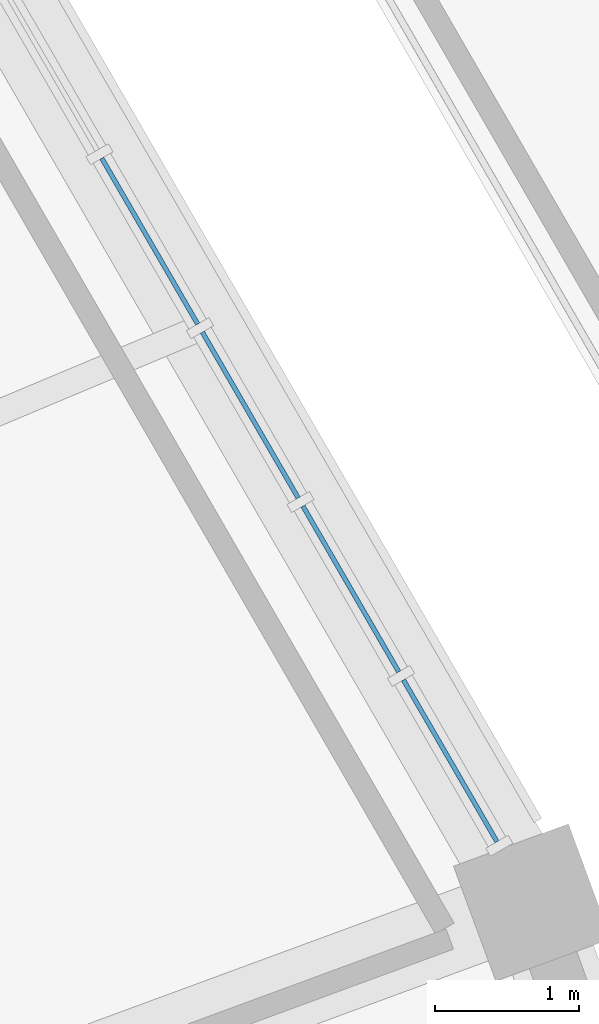
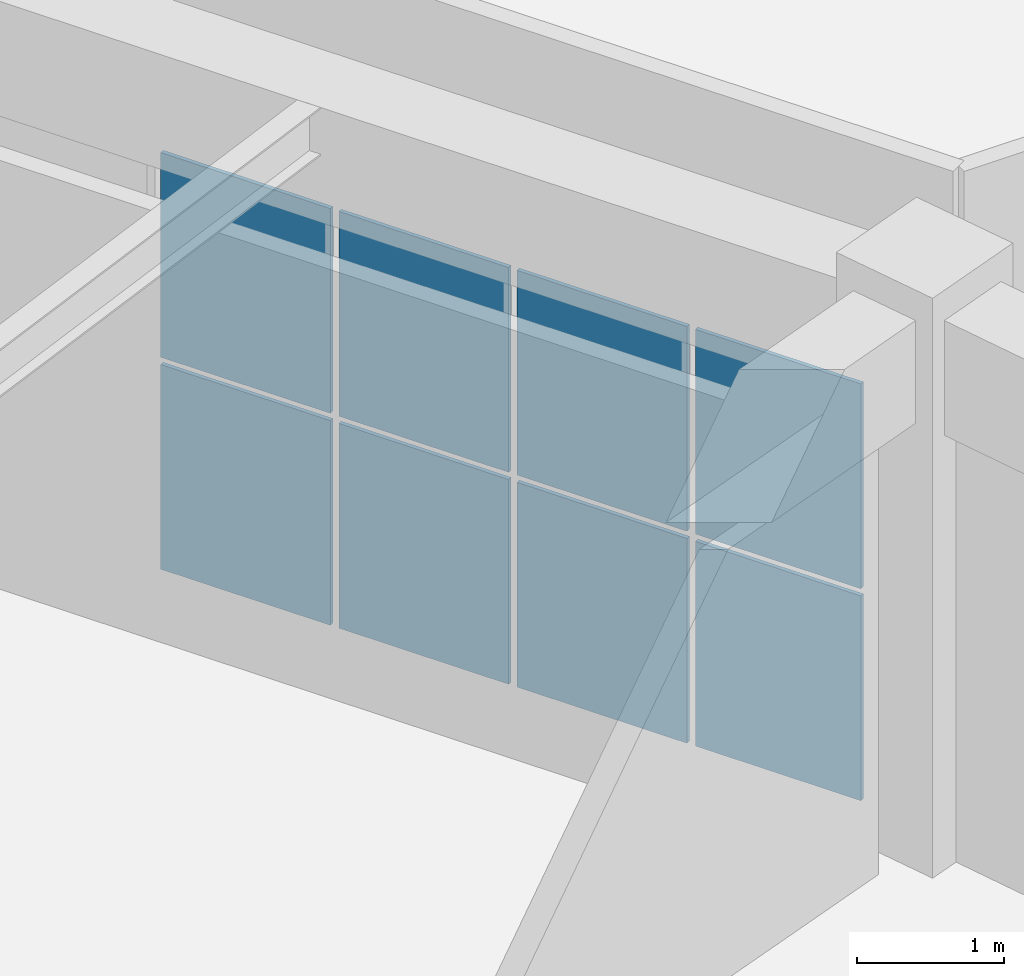
# One storey, part 87 of 152: 8 plates, 1 element without a shape of its own.
"""IFC4 building model written with IfcOpenShell, lengths in metres."""

import ifcopenshell
import ifcopenshell.guid

model = None  # the IFC model being written
_history = None  # IfcOwnerHistory: only IFC2X3 demands one
_inside = {}  # id of a spatial element -> (the spatial element, [elements in it])
_under = {}  # id of a project, library or spatial element -> (it, [spatial elements below it])
_declared = {}  # id of a project -> (the project, [libraries it declares])
_typed = {}  # id of a type object -> (the type object, [elements of that type])
_made_of = {}  # id of a material, layer set ... -> (it, [elements and type objects made of it])


def new_model(schema):
    """Start an empty IFC model of exactly this schema.

    Asked for "IFC4X3", IfcOpenShell would pick the latest addendum, in which some entities
    have other attributes; the version numbers below select the first issue.
    IFC2X3 requires an IfcOwnerHistory on every rooted entity: one is made here for all.
    """
    global model, _history
    if schema == "IFC4X3":
        model = ifcopenshell.file(schema_version=(4, 3, 0, 0))
    else:
        model = ifcopenshell.file(schema=schema)
    _inside.clear()
    _under.clear()
    _declared.clear()
    _typed.clear()
    _made_of.clear()
    _history = None
    if model.schema == "IFC2X3":
        org = make("IfcOrganization", Name="unknown")
        user = make(
            "IfcPersonAndOrganization",
            ThePerson=make("IfcPerson", FamilyName="unknown"),
            TheOrganization=org,
        )
        app = make(
            "IfcApplication",
            ApplicationDeveloper=org,
            Version="unknown",
            ApplicationFullName="unknown",
            ApplicationIdentifier="unknown",
        )
        _history = make(
            "IfcOwnerHistory",
            OwningUser=user,
            OwningApplication=app,
            ChangeAction="ADDED",
            CreationDate=0,
        )
    return model


def make(cls, **values):
    """One entity of the class cls with the attributes given. An attribute that is None is left unset."""
    return model.create_entity(
        cls, **{name: value for name, value in values.items() if value is not None}
    )


def rooted(cls, **values):
    """An entity with a GlobalId (a new one), such as an element, a storey or a relation."""
    return make(cls, GlobalId=ifcopenshell.guid.new(), OwnerHistory=_history, **values)


def si_unit(unit_type, name, prefix=None):
    """IfcSIUnit, for example si_unit("LENGTHUNIT", "METRE", prefix="MILLI")."""
    return make("IfcSIUnit", UnitType=unit_type, Prefix=prefix, Name=name)


def assignment(units):
    """IfcUnitAssignment: the units of a project."""
    return None if units is None else make("IfcUnitAssignment", Units=units)


def point(xyz):
    """IfcCartesianPoint."""
    return None if xyz is None else make("IfcCartesianPoint", Coordinates=xyz)


def direction(xyz):
    """IfcDirection."""
    return None if xyz is None else make("IfcDirection", DirectionRatios=xyz)


def frame(location, z_axis=None, x_axis=None):
    """IfcAxis2Placement3D, a coordinate frame: its origin and axes. An axis left out is left unset."""
    return make(
        "IfcAxis2Placement3D",
        Location=point(location),
        Axis=direction(z_axis),
        RefDirection=direction(x_axis),
    )


def frame_2d(location, x_axis=None):
    """IfcAxis2Placement2D, a coordinate frame in the plane: its origin and x axis."""
    return make(
        "IfcAxis2Placement2D", Location=point(location), RefDirection=direction(x_axis)
    )


def origin():
    """The frame at (0, 0, 0) with its axes left unset."""
    return frame((0.0, 0.0, 0.0))


def origin_2d():
    """The frame at (0, 0) in the plane with its x axis left unset."""
    return frame_2d((0.0, 0.0))


def place(relative_to, where):
    """IfcLocalPlacement: puts the frame where relative to a parent placement (None: the world)."""
    return make(
        "IfcLocalPlacement", PlacementRelTo=relative_to, RelativePlacement=where
    )


def context(
    kind, dimensions, precision=None, world=None, true_north=None, identifier=None
):
    """IfcGeometricRepresentationContext, for example the 3D "Model" context."""
    return make(
        "IfcGeometricRepresentationContext",
        ContextIdentifier=identifier,
        ContextType=kind,
        CoordinateSpaceDimension=dimensions,
        Precision=precision,
        WorldCoordinateSystem=world,
        TrueNorth=true_north,
    )


def subcontext(parent, identifier, kind, view, scale=None):
    """IfcGeometricRepresentationSubContext, for example "Body" below "Model"."""
    return make(
        "IfcGeometricRepresentationSubContext",
        ContextIdentifier=identifier,
        ContextType=kind,
        ParentContext=parent,
        TargetScale=scale,
        TargetView=view,
    )


def project(units=None, contexts=None):
    """IfcProject with its units and contexts."""
    return rooted(
        "IfcProject",
        Name="project",
        RepresentationContexts=contexts,
        UnitsInContext=assignment(units),
    )


def spatial(cls, under=None, at=None, **own):
    """A site, building, storey or space (cls), placed at a placement, below another one or the project."""
    s = rooted(cls, ObjectPlacement=at, **own)
    if under is not None:
        _under.setdefault(under.id(), (under, []))[1].append(s)
    return s


def profile(cls, at=None, kind="AREA", **sizes):
    """A parametric profile (cls). Its sizes go by their IFC names, for example OverallWidth=200.0."""
    return make(cls, ProfileType=kind, Position=at, **sizes)


def rectangle(**sizes):
    """IfcRectangleProfileDef."""
    return profile("IfcRectangleProfileDef", **sizes)


def extrude(swept, where, along, depth):
    """IfcExtrudedAreaSolid: the profile swept, set in the frame where, extruded along a direction by depth."""
    return make(
        "IfcExtrudedAreaSolid",
        SweptArea=swept,
        Position=where,
        ExtrudedDirection=direction(along),
        Depth=depth,
    )


def shape(context_of_items, identifier, shape_type, items):
    """IfcShapeRepresentation: the items that make up one representation, for example the "Body"."""
    return make(
        "IfcShapeRepresentation",
        ContextOfItems=context_of_items,
        RepresentationIdentifier=identifier,
        RepresentationType=shape_type,
        Items=items,
    )


def material(Name=None, Category=None):
    """IfcMaterial."""
    return make("IfcMaterial", Name=Name, Category=Category)


def layer(
    of_material, thickness, ventilated=None, Name=None, Category=None, Priority=None
):
    """IfcMaterialLayer: one layer of a wall or slab, of a material (None: an air gap)."""
    return make(
        "IfcMaterialLayer",
        Material=of_material,
        LayerThickness=thickness,
        IsVentilated=ventilated,
        Name=Name,
        Category=Category,
        Priority=Priority,
    )


def layer_set(layers, Name=None):
    """IfcMaterialLayerSet."""
    return make("IfcMaterialLayerSet", MaterialLayers=layers, LayerSetName=Name)


def made_of(thing, what):
    """Note that an element or type object is made of a material, layer set ...; save() writes the relation."""
    if what is not None:
        _made_of.setdefault(what.id(), (what, []))[1].append(thing)
    return thing


def type_object(cls, material=None, **own):
    """A type object (cls), such as IfcWallType, which elements share."""
    return made_of(rooted(cls, **own), material)


def element(
    cls,
    number,
    at=None,
    inside=None,
    cuts=None,
    type_object=None,
    material=None,
    context=None,
    identifier="Body",
    shape_type=None,
    held_by="IfcProductDefinitionShape",
    body=None,
    shapes=None,
    **own,
):
    """One element of the class cls, such as IfcWall. Its Tag is "e" and its number.

    at: its placement. inside: the storey or other place that contains it. cuts: it is an
    opening in that element (IfcRelVoidsElement). A single representation is given by context,
    identifier, shape_type and body (its items); several are given by shapes. held_by: the class
    of the entity that holds the representations. save() writes the other relations.
    """
    e = rooted(cls, Tag="e%d" % number, ObjectPlacement=at, **own)
    if body is not None:
        shapes = [shape(context, identifier, shape_type, body)]
    if shapes is not None:
        e.Representation = make(held_by, Representations=shapes)
    if inside is not None:
        _inside.setdefault(inside.id(), (inside, []))[1].append(e)
    if cuts is not None:
        rooted(
            "IfcRelVoidsElement", RelatingBuildingElement=cuts, RelatedOpeningElement=e
        )
    if type_object is not None:
        _typed.setdefault(type_object.id(), (type_object, []))[1].append(e)
    return made_of(e, material)


def aggregate(whole, parts):
    """IfcRelAggregates: a whole, such as a stair, and the parts it consists of."""
    return rooted("IfcRelAggregates", RelatingObject=whole, RelatedObjects=parts)


def save(model, path):
    """Write the relations noted so far, then the file.

    IfcRelAggregates (storeys below a building ...), IfcRelContainedInSpatialStructure (elements
    in a storey), IfcRelDefinesByType, IfcRelAssociatesMaterial and IfcRelDeclares: one each for
    every whole, place, type object, material and project.
    """
    for whole, parts in _under.values():
        aggregate(whole, parts)
    for where, things in _inside.values():
        rooted(
            "IfcRelContainedInSpatialStructure",
            RelatedElements=things,
            RelatingStructure=where,
        )
    for kind, things in _typed.values():
        rooted("IfcRelDefinesByType", RelatedObjects=things, RelatingType=kind)
    for what, things in _made_of.values():
        rooted("IfcRelAssociatesMaterial", RelatedObjects=things, RelatingMaterial=what)
    for by, libraries in _declared.values():
        rooted("IfcRelDeclares", RelatingContext=by, RelatedDefinitions=libraries)
    model.write(path)


model = new_model("IFC4")

# Units and contexts
model_context = context("Model", 3, precision=1e-05, world=origin(), true_north=direction((0.0, 1.0)))
body_context = subcontext(model_context, "Body", "Model", "MODEL_VIEW")
ifc_project = project(units=[si_unit("LENGTHUNIT", "METRE"), si_unit("AREAUNIT", "SQUARE_METRE"), si_unit("VOLUMEUNIT", "CUBIC_METRE"), si_unit("PLANEANGLEUNIT", "RADIAN"), si_unit("MASSUNIT", "GRAM", prefix="KILO")], contexts=[model_context])

# Site, building, storey
site_placement = place(None, origin())
site = spatial("IfcSite", under=ifc_project, at=site_placement, CompositionType="ELEMENT")
building_placement = place(site_placement, origin())
building = spatial("IfcBuilding", under=site, at=building_placement, Name="Mphavela Belvedere Stadium", CompositionType="ELEMENT")
storey_placement = place(building_placement, frame((0.0, 0.0, 5.39990234375)))
storey = spatial("IfcBuildingStorey", under=building, at=storey_placement, Name="L01", CompositionType="ELEMENT", Elevation=5.39990234375)

# Curtain wall, plates
ifc_material_1 = material(Name="Anodised bronze unitised curtain wall framing")
ifc_layer_1 = layer(ifc_material_1, 0.18505859375)
ifc_layer_set_1 = layer_set([ifc_layer_1], Name="Anodised bronze unitised curtain wall framing")
curtain_wall_type = type_object("IfcCurtainWallType", Name="CW-UNIT-02", PredefinedType="USERDEFINED", material=ifc_layer_set_1)
curtain_wall_placement = place(storey_placement, origin())
curtain_wall = element("IfcCurtainWall", 1, at=curtain_wall_placement, inside=storey, type_object=curtain_wall_type, Name="Belvedere colonnade curtain wall L01-04", ObjectType="UNITISED CURTAIN WALL", PredefinedType="USERDEFINED")
ifc_material_2 = material(Name="Solar-control double glazing", Category="glass")
ifc_layer_2 = layer(ifc_material_2, 0.031982421875)
ifc_layer_set_2 = layer_set([ifc_layer_2], Name="Solar-control double glazing")
plate_type = type_object("IfcPlateType", Name="CWP-SOLAR-GLASS", PredefinedType="CURTAIN_PANEL", material=ifc_layer_set_2)
plate_1_placement = place(storey_placement, frame((211.287109375, 123.66650390625, 0.06005859375), z_axis=(0.0, 0.0, 1.0), x_axis=(-0.500560586125, 0.865701507229, 0.0)))
plate_1 = element("IfcPlate", 2, at=plate_1_placement, type_object=plate_type, Name="CW-02 panel 1.1", PredefinedType="CURTAIN_PANEL", context=body_context, shape_type="SweptSolid", body=[
    extrude(rectangle(XDim=1.297607421875, YDim=0.031982421875, at=origin_2d()), origin(), (0.0, 0.0, 1.0), 1.695068359375),
])
plate_2_placement = place(storey_placement, frame((211.287109375, 123.66650390625, 1.81494140625), z_axis=(0.0, 0.0, 1.0), x_axis=(-0.500560586125, 0.865701507229, 0.0)))
plate_2 = element("IfcPlate", 3, at=plate_2_placement, type_object=plate_type, Name="CW-02 panel 1.2", PredefinedType="CURTAIN_PANEL", context=body_context, shape_type="SweptSolid", body=[
    extrude(rectangle(XDim=1.297607421875, YDim=0.031982421875, at=origin_2d()), origin(), (0.0, 0.0, 1.0), 1.695068359375),
])
plate_3_placement = place(storey_placement, frame((210.596923828125, 124.860107421875, 0.06005859375), z_axis=(0.0, 0.0, 1.0), x_axis=(-0.500560586125, 0.865701507229, 0.0)))
plate_3 = element("IfcPlate", 4, at=plate_3_placement, type_object=plate_type, Name="CW-02 panel 2.1", PredefinedType="CURTAIN_PANEL", context=body_context, shape_type="SweptSolid", body=[
    extrude(rectangle(XDim=1.330078125, YDim=0.031982421875, at=origin_2d()), origin(), (0.0, 0.0, 1.0), 1.695068359375),
])
plate_4_placement = place(storey_placement, frame((210.596923828125, 124.860107421875, 1.81494140625), z_axis=(0.0, 0.0, 1.0), x_axis=(-0.500560586125, 0.865701507229, 0.0)))
plate_4 = element("IfcPlate", 5, at=plate_4_placement, type_object=plate_type, Name="CW-02 panel 2.2", PredefinedType="CURTAIN_PANEL", context=body_context, shape_type="SweptSolid", body=[
    extrude(rectangle(XDim=1.330078125, YDim=0.031982421875, at=origin_2d()), origin(), (0.0, 0.0, 1.0), 1.695068359375),
])
plate_5_placement = place(storey_placement, frame((209.8984375, 126.068115234375, 0.06005859375), z_axis=(0.0, 0.0, 1.0), x_axis=(-0.500560586125, 0.865701507229, 0.0)))
plate_5 = element("IfcPlate", 6, at=plate_5_placement, type_object=plate_type, Name="CW-02 panel 3.1", PredefinedType="CURTAIN_PANEL", context=body_context, shape_type="SweptSolid", body=[
    extrude(rectangle(XDim=1.330078125, YDim=0.031982421875, at=origin_2d()), origin(), (0.0, 0.0, 1.0), 1.695068359375),
])
plate_6_placement = place(storey_placement, frame((209.8984375, 126.068115234375, 1.81494140625), z_axis=(0.0, 0.0, 1.0), x_axis=(-0.500560586125, 0.865701507229, 0.0)))
plate_6 = element("IfcPlate", 7, at=plate_6_placement, type_object=plate_type, Name="CW-02 panel 3.2", PredefinedType="CURTAIN_PANEL", context=body_context, shape_type="SweptSolid", body=[
    extrude(rectangle(XDim=1.330078125, YDim=0.031982421875, at=origin_2d()), origin(), (0.0, 0.0, 1.0), 1.695068359375),
])
plate_7_placement = place(storey_placement, frame((209.2001953125, 127.27587890625, 0.06005859375), z_axis=(0.0, 0.0, 1.0), x_axis=(-0.500560586125, 0.865701507229, 0.0)))
plate_7 = element("IfcPlate", 8, at=plate_7_placement, type_object=plate_type, Name="CW-02 panel 4.1", PredefinedType="CURTAIN_PANEL", context=body_context, shape_type="SweptSolid", body=[
    extrude(rectangle(XDim=1.330078125, YDim=0.031982421875, at=origin_2d()), origin(), (0.0, 0.0, 1.0), 1.695068359375),
])
plate_8_placement = place(storey_placement, frame((209.2001953125, 127.27587890625, 1.81494140625), z_axis=(0.0, 0.0, 1.0), x_axis=(-0.500560586125, 0.865701507229, 0.0)))
plate_8 = element("IfcPlate", 9, at=plate_8_placement, type_object=plate_type, Name="CW-02 panel 4.2", PredefinedType="CURTAIN_PANEL", context=body_context, shape_type="SweptSolid", body=[
    extrude(rectangle(XDim=1.330078125, YDim=0.031982421875, at=origin_2d()), origin(), (0.0, 0.0, 1.0), 1.695068359375),
])
aggregate(curtain_wall, [plate_1, plate_2, plate_3, plate_4, plate_5, plate_6, plate_7, plate_8])

save(model, "model.ifc")
